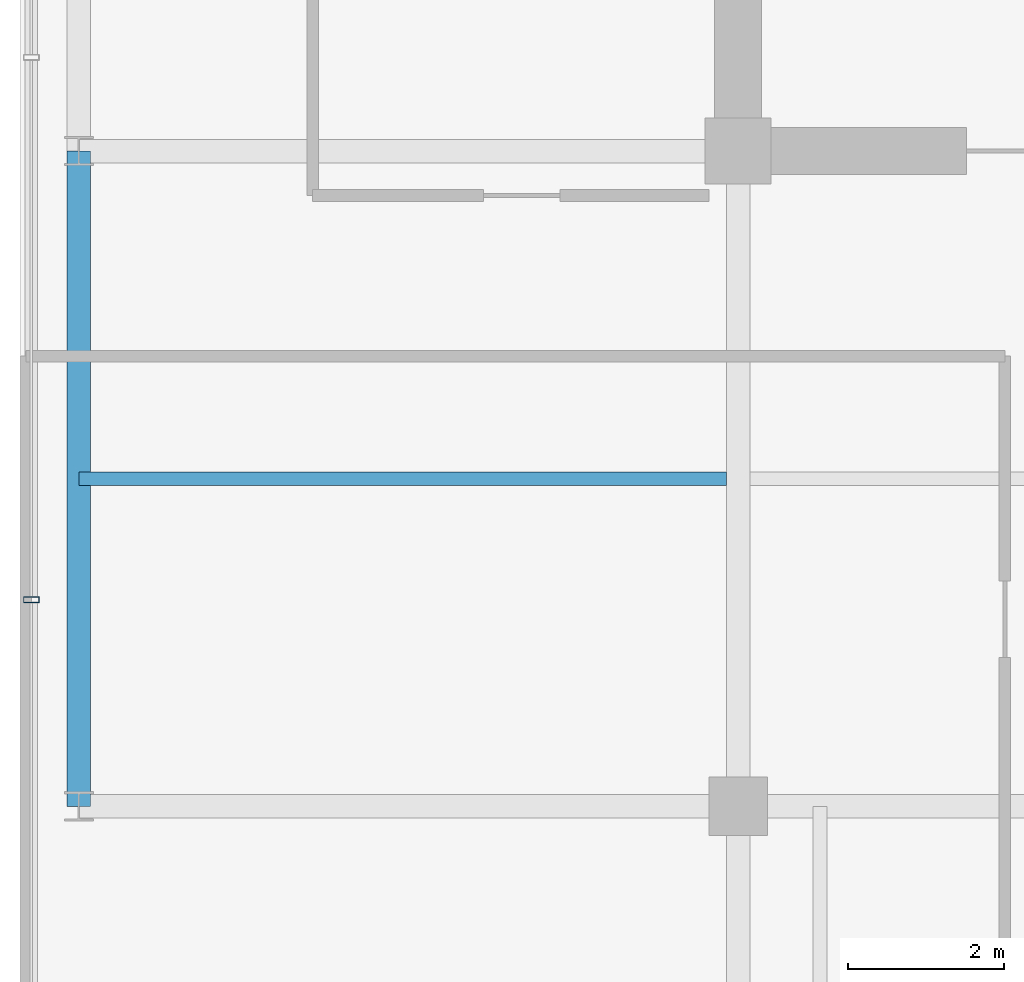
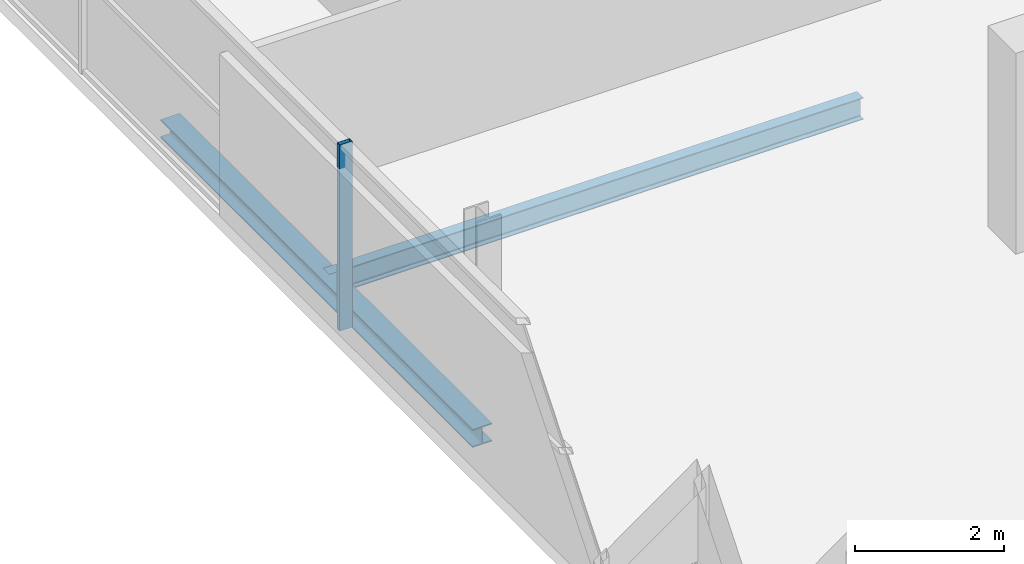
# One storey, part 4 of 22: 2 beams, 1 member, 1 element without a shape of its own.
"""IFC4 building model written with IfcOpenShell, lengths in metres."""

from ifc_helpers import new_model, si_unit, direction, frame, origin, origin_2d, place, context, subcontext, project, spatial, hollow_rectangle, i_section, extrude, source, transform, mapped, material, layer, layer_set, material_profile, profile_set, type_object, element, aggregate, save


model = new_model("IFC4")

# Units and contexts
model_context = context("Model", 3, precision=1e-05, world=origin(), true_north=direction((0.0, 1.0)))
body_context = subcontext(model_context, "Body", "Model", "MODEL_VIEW")
ifc_project = project(units=[si_unit("LENGTHUNIT", "METRE"), si_unit("AREAUNIT", "SQUARE_METRE"), si_unit("VOLUMEUNIT", "CUBIC_METRE"), si_unit("PLANEANGLEUNIT", "RADIAN"), si_unit("MASSUNIT", "GRAM", prefix="KILO")], contexts=[model_context])

# Site, building, storey
site_placement = place(None, origin())
site = spatial("IfcSite", under=ifc_project, at=site_placement, CompositionType="ELEMENT")
building_placement = place(site_placement, origin())
building = spatial("IfcBuilding", under=site, at=building_placement, Name="Zarnakvel Exchange Tower", CompositionType="ELEMENT")
storey_placement = place(building_placement, frame((0.0, 0.0, 225.39990234375)))
storey = spatial("IfcBuildingStorey", under=building, at=storey_placement, Name="L63", CompositionType="ELEMENT", Elevation=225.39990234375)

# Beams
ifc_material_1 = material(Name="Steel S355", Category="steel")
ifc_material_profile_1 = material_profile(ifc_material_1, i_section(OverallWidth=0.169921875, OverallDepth=0.360107421875, WebThickness=0.008056640625, FlangeThickness=0.0126953125, FilletRadius=0.01806640625, at=origin_2d()))
ifc_profile_set_1 = profile_set([ifc_material_profile_1], Name="Steel S355")
beam_type_1 = type_object("IfcBeamType", Name="B-07", PredefinedType="JOIST", material=ifc_profile_set_1)
beam_1_placement = place(storey_placement, frame((-22.85009765625, -5.39990234375, -0.40478515625), z_axis=(1.0, 0.0, 0.0), x_axis=(0.0, 1.0, 0.0)))
element("IfcBeam", 1, at=beam_1_placement, inside=storey, type_object=beam_type_1, Name="L63 Composite Floor Secondary Joist", PredefinedType="JOIST", context=body_context, shape_type="SweptSolid", body=[
    extrude(i_section(OverallWidth=0.169921875, OverallDepth=0.360107421875, WebThickness=0.008056640625, FlangeThickness=0.0126953125, FilletRadius=0.01806640625, at=origin_2d()), origin(), (0.0, 0.0, 1.0), 8.300048828125),
])
ifc_material_profile_2 = material_profile(ifc_material_1, i_section(OverallWidth=0.300048828125, OverallDepth=0.300048828125, WebThickness=0.010986328125, FlangeThickness=0.01904296875, FilletRadius=0.027099609375, at=origin_2d()))
ifc_profile_set_2 = profile_set([ifc_material_profile_2], Name="Steel S355")
beam_type_2 = type_object("IfcBeamType", Name="SP-03", PredefinedType="SPANDREL", material=ifc_profile_set_2)
beam_2_placement = place(storey_placement, frame((-22.85009765625, -9.60009765625, -0.375), z_axis=(0.0, 1.0, 0.0), x_axis=(-1.0, 0.0, 0.0)))
element("IfcBeam", 2, at=beam_2_placement, inside=storey, type_object=beam_type_2, Name="L63 Tower N-S Frame Beam", PredefinedType="SPANDREL", context=body_context, shape_type="SweptSolid", body=[
    extrude(i_section(OverallWidth=0.300048828125, OverallDepth=0.300048828125, WebThickness=0.010986328125, FlangeThickness=0.01904296875, FilletRadius=0.027099609375, at=origin_2d()), origin(), (0.0, 0.0, 1.0), 8.400146484375),
])

# Curtain wall, member
ifc_material_2 = material(Name="Architectural Bronze Anodised Aluminium", Category="aluminium")
ifc_layer = layer(ifc_material_2, 0.199951171875)
ifc_layer_set = layer_set([ifc_layer], Name="Architectural Bronze Anodised Aluminium")
curtain_wall_type = type_object("IfcCurtainWallType", Name="CW-04", PredefinedType="NOTDEFINED", material=ifc_layer_set)
curtain_wall_placement = place(storey_placement, origin())
curtain_wall = element("IfcCurtainWall", 3, at=curtain_wall_placement, inside=storey, type_object=curtain_wall_type, Name="L63 Curtain Wall CW-L63-W1 (CW-04)", PredefinedType="NOTDEFINED")
ifc_material_profile_3 = material_profile(ifc_material_2, hollow_rectangle(XDim=0.199951171875, YDim=0.074951171875, WallThickness=0.0048828125, at=origin_2d()))
ifc_profile_set_3 = profile_set([ifc_material_profile_3], Name="Architectural Bronze Anodised Aluminium")
member_type = type_object("IfcMemberType", Name="CWM-04", PredefinedType="MULLION", material=ifc_profile_set_3)
shared_shape = source(origin(), body_context, "Body", "SweptSolid", [
    extrude(hollow_rectangle(XDim=0.199951171875, YDim=0.074951171875, WallThickness=0.0048828125, at=origin_2d()), origin(), (0.0, 0.0, 1.0), 3.05517578125),
])
member_placement = place(storey_placement, frame((-23.4599609375, -6.949951171875, 0.0), z_axis=(0.0, 0.0, 1.0), x_axis=(-1.0, 0.0, 0.0)))
member = element("IfcMember", 4, at=member_placement, type_object=member_type, Name="CW-04 mullion 2", PredefinedType="MULLION", context=body_context, shape_type="MappedRepresentation", body=[
    mapped(shared_shape, transform((0.0, 0.0, 0.0), x_axis=(1.0, 0.0, 0.0), y_axis=(0.0, 1.0, 0.0), z_axis=(0.0, 0.0, 1.0), scale=1.0)),
])
aggregate(curtain_wall, [member])

save(model, "model.ifc")
